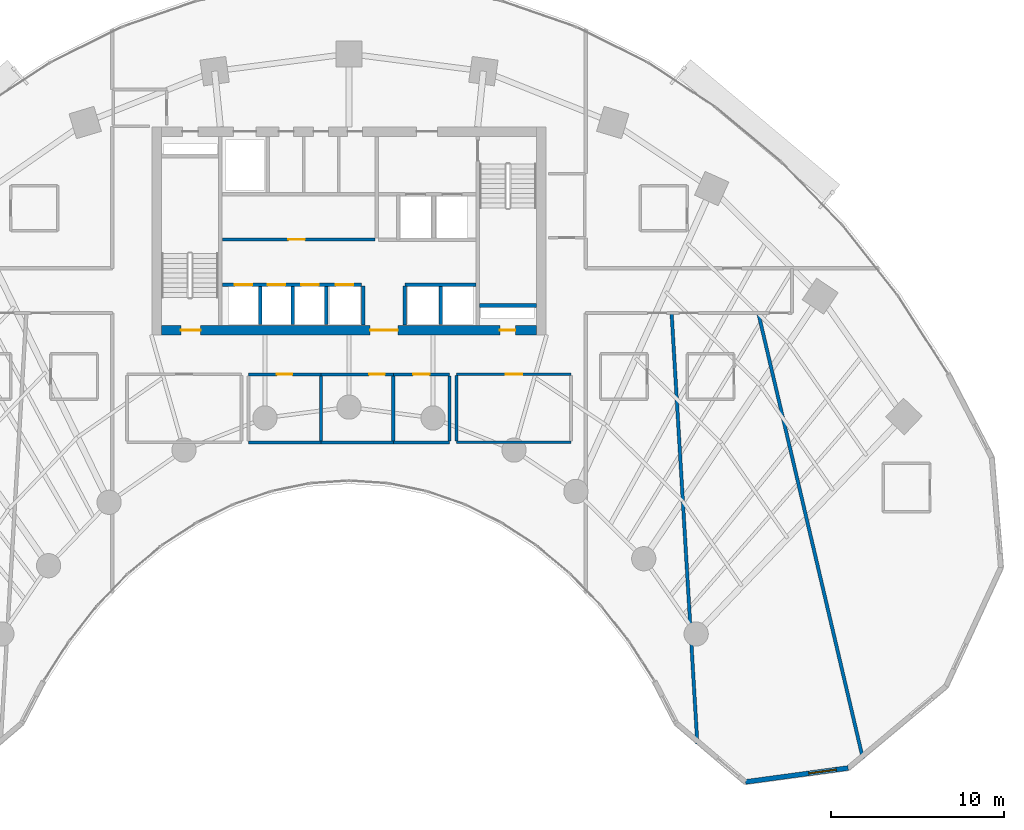
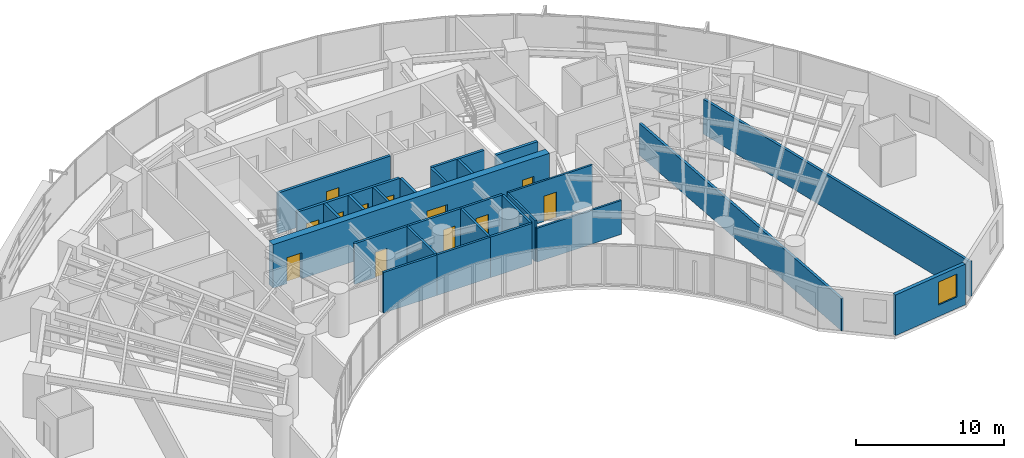
# One storey, part 12 of 17: 26 walls, 12 doors, 1 window, 13 openings.
"""IFC4 building model written with IfcOpenShell, lengths in metres."""

from ifc_helpers import new_model, si_unit, direction, frame, frame_2d, origin, place, context, subcontext, project, spatial, rectangle, extrude, source, transform, mapped, material, layer, layer_set, type_object, type_shapes, element, fill, save


model = new_model("IFC4")

# Units and contexts
model_context = context("Model", 3, precision=1e-05, world=origin(), true_north=direction((0.0, 1.0)))
body_context = subcontext(model_context, "Body", "Model", "MODEL_VIEW")
ifc_project = project(units=[si_unit("LENGTHUNIT", "METRE"), si_unit("AREAUNIT", "SQUARE_METRE"), si_unit("VOLUMEUNIT", "CUBIC_METRE"), si_unit("PLANEANGLEUNIT", "RADIAN"), si_unit("MASSUNIT", "GRAM", prefix="KILO")], contexts=[model_context])

# Site, building, storey
site_placement = place(None, origin())
site = spatial("IfcSite", under=ifc_project, at=site_placement, CompositionType="ELEMENT")
building_placement = place(site_placement, origin())
building = spatial("IfcBuilding", under=site, at=building_placement, Name="Breltana Convention Tower", CompositionType="ELEMENT")
storey_placement = place(building_placement, frame((0.0, 0.0, 78.60009765625)))
storey = spatial("IfcBuildingStorey", under=building, at=storey_placement, Name="L18", CompositionType="ELEMENT", Elevation=78.60009765625)

# Wall, openings, doors
ifc_material_1 = material(Name="Concrete C60/75", Category="concrete")
ifc_layer_1 = layer(ifc_material_1, 0.550048828125, Name="Concrete C60/75")
ifc_layer_set_1 = layer_set([ifc_layer_1], Name="Concrete C60/75")
wall_type_1 = type_object("IfcWallType", Name="SW-CORE-550", PredefinedType="SHEAR", material=ifc_layer_set_1)
shared_shape_1 = source(origin(), body_context, "Body", "SweptSolid", [
    extrude(rectangle(XDim=21.60009765625, YDim=0.550048828125, at=frame_2d((10.800048828125, 0.0))), origin(), (0.0, 0.0, 1.0), 3.599853515625),
])
wall_1_placement = place(storey_placement, frame((37.199951171875, 60.47509765625, 0.0), z_axis=(0.0, 0.0, 1.0), x_axis=(1.0, 0.0, 0.0)))
wall_1 = element("IfcWall", 1, at=wall_1_placement, inside=storey, type_object=wall_type_1, Name="L18 South Core Shear Wall", PredefinedType="SHEAR", context=body_context, shape_type="MappedRepresentation", body=[
    mapped(shared_shape_1, transform((0.0, 0.0, 0.0), scale=1.0)),
])
opening_1_placement = place(wall_1_placement, frame((1.10009765625, 0.0, 0.0)))
opening_1 = element("IfcOpeningElement", 2, at=opening_1_placement, cuts=wall_1, Name="Opening D-11", PredefinedType="OPENING", context=body_context, shape_type="SweptSolid", body=[
    extrude(rectangle(XDim=1.14990234375, YDim=2.14990234375, at=frame_2d((0.574951171875, 1.074951171875))), frame((0.0, 0.28515625, 0.0), z_axis=(0.0, -1.0, 0.0), x_axis=(1.0, 0.0, 0.0)), (0.0, 0.0, 1.0), 0.570068359375),
])
opening_2_placement = place(wall_1_placement, frame((19.5, 0.0, 0.0)))
opening_2 = element("IfcOpeningElement", 3, at=opening_2_placement, cuts=wall_1, Name="Opening D-18", PredefinedType="OPENING", context=body_context, shape_type="SweptSolid", body=[
    extrude(rectangle(XDim=0.89990234375, YDim=2.10009765625, at=frame_2d((0.449951171875, 1.050048828125))), frame((0.0, 0.28515625, 0.0), z_axis=(0.0, -1.0, 0.0), x_axis=(1.0, 0.0, 0.0)), (0.0, 0.0, 1.0), 0.570068359375),
])
opening_3_placement = place(wall_1_placement, frame((12.02001953125, 0.0, 0.0)))
opening_3 = element("IfcOpeningElement", 4, at=opening_3_placement, cuts=wall_1, Name="Opening D-02", PredefinedType="OPENING", context=body_context, shape_type="SweptSolid", body=[
    extrude(rectangle(XDim=1.60009765625, YDim=2.14990234375, at=frame_2d((0.800048828125, 1.074951171875))), frame((0.0, 0.28515625, 0.0), z_axis=(0.0, -1.0, 0.0), x_axis=(1.0, 0.0, 0.0)), (0.0, 0.0, 1.0), 0.570068359375),
])
ifc_material_2 = material(Name="Steel Stair Exit Door", Category="steel")
door_type_1 = type_object("IfcDoorType", Name="DR-FD120-1150", OperationType="NOTDEFINED", PredefinedType="DOOR", material=ifc_material_2)
shared_shape_2 = source(origin(), body_context, "Body", "SweptSolid", [
    extrude(rectangle(XDim=1.14990234375, YDim=2.14990234375, at=frame_2d((0.574951171875, 1.074951171875))), frame((0.0, 0.02490234375, 0.0), z_axis=(0.0, -1.0, 0.0), x_axis=(1.0, 0.0, 0.0)), (0.0, 0.0, 1.0), 0.050048828125),
])
type_shapes(door_type_1, [shared_shape_2])
door_1_placement = place(opening_1_placement, origin())
door_1 = element("IfcDoor", 5, at=door_1_placement, inside=storey, type_object=door_type_1, Name="L18 interior door D-L18-ST1", OperationType="SINGLE_SWING_LEFT", OverallHeight=2.14990234375, OverallWidth=1.14990234375, PredefinedType="DOOR", context=body_context, shape_type="MappedRepresentation", body=[
    mapped(shared_shape_2, transform((0.0, 0.0, 0.0), scale=1.0)),
])
fill(opening_1, door_1)
ifc_material_3 = material(Name="Steel Riser Fire Door", Category="steel")
door_type_2 = type_object("IfcDoorType", Name="DR-FD60-900", OperationType="NOTDEFINED", PredefinedType="DOOR", material=ifc_material_3)
shared_shape_3 = source(origin(), body_context, "Body", "SweptSolid", [
    extrude(rectangle(XDim=0.89990234375, YDim=2.10009765625, at=frame_2d((0.449951171875, 1.050048828125))), frame((0.0, 0.02490234375, 0.0), z_axis=(0.0, -1.0, 0.0), x_axis=(1.0, 0.0, 0.0)), (0.0, 0.0, 1.0), 0.050048828125),
])
type_shapes(door_type_2, [shared_shape_3])
door_2_placement = place(opening_2_placement, origin())
door_2 = element("IfcDoor", 6, at=door_2_placement, inside=storey, type_object=door_type_2, Name="L18 Core Riser Access Door D-L18-RS2", OperationType="SINGLE_SWING_RIGHT", OverallHeight=2.10009765625, OverallWidth=0.89990234375, PredefinedType="DOOR", context=body_context, shape_type="MappedRepresentation", body=[
    mapped(shared_shape_3, transform((0.0, 0.0, 0.0), scale=1.0)),
])
fill(opening_2, door_2)
ifc_material_4 = material(Name="Steel Glazed Smoke-Control Door", Category="steel")
door_type_3 = type_object("IfcDoorType", Name="DR-DBL-FD90-1600", OperationType="DOUBLE_DOOR_SINGLE_SWING", PredefinedType="DOOR", material=ifc_material_4)
shared_shape_4 = source(origin(), body_context, "Body", "SweptSolid", [
    extrude(rectangle(XDim=1.60009765625, YDim=2.14990234375, at=frame_2d((0.800048828125, 1.074951171875))), frame((0.0, 0.02490234375, 0.0), z_axis=(0.0, -1.0, 0.0), x_axis=(1.0, 0.0, 0.0)), (0.0, 0.0, 1.0), 0.050048828125),
])
type_shapes(door_type_3, [shared_shape_4])
door_3_placement = place(opening_3_placement, origin())
door_3 = element("IfcDoor", 7, at=door_3_placement, inside=storey, type_object=door_type_3, Name="L18 interior door D-L18-LLB-S", OperationType="DOUBLE_DOOR_SINGLE_SWING", OverallHeight=2.14990234375, OverallWidth=1.60009765625, PredefinedType="DOOR", context=body_context, shape_type="MappedRepresentation", body=[
    mapped(shared_shape_4, transform((0.0, 0.0, 0.0), scale=1.0)),
])
fill(opening_3, door_3)

# Wall
ifc_material_5 = material(Name="Concrete C50/60", Category="concrete")
ifc_layer_2 = layer(ifc_material_5, 0.39990234375, Name="Concrete C50/60")
ifc_layer_set_2 = layer_set([ifc_layer_2], Name="Concrete C50/60")
wall_type_2 = type_object("IfcWallType", Name="SW-CORE-400", PredefinedType="SHEAR", material=ifc_layer_set_2)
shared_shape_5 = source(origin(), body_context, "Body", "SweptSolid", [
    extrude(rectangle(XDim=3.27001953125, YDim=0.219970703125, at=frame_2d((1.635009765625, 0.0))), origin(), (0.0, 0.0, 1.0), 3.599853515625),
])
wall_2_placement = place(storey_placement, frame((55.530029296875, 61.889892578125, 0.0), z_axis=(0.0, 0.0, 1.0), x_axis=(1.0, 0.0, 0.0)))
element("IfcWall", 8, at=wall_2_placement, inside=storey, type_object=wall_type_2, Name="L18 ST-2 Stairwell South Bearing Wall", PredefinedType="SHEAR", context=body_context, shape_type="MappedRepresentation", body=[
    mapped(shared_shape_5, transform((0.0, 0.0, 0.0), scale=1.0)),
])

# Wall, opening, window
ifc_material_6 = material(Name="Limestone Buff Insulated Wall", Category="masonry")
ifc_layer_3 = layer(ifc_material_6, 0.280029296875, Name="Limestone Buff Insulated Wall")
ifc_layer_set_3 = layer_set([ifc_layer_3], Name="Limestone Buff Insulated Wall")
wall_type_3 = type_object("IfcWallType", Name="WL-EXT-NOSE-280", PredefinedType="SOLIDWALL", material=ifc_layer_set_3)
shared_shape_6 = source(origin(), body_context, "Body", "SweptSolid", [
    extrude(rectangle(XDim=5.96728515625, YDim=0.280029296875, at=frame_2d((2.983642578125, 0.0))), origin(), (0.0, 0.0, 1.0), 3.35986328125),
])
wall_3_placement = place(storey_placement, frame((76.77734375, 35.226806640625, 0.0), z_axis=(0.0, 0.0, 1.0), x_axis=(-0.990927009341, -0.134401124099, 0.0)))
wall_3 = element("IfcWall", 9, at=wall_3_placement, inside=storey, type_object=wall_type_3, Name="L18 curved limestone nose wall E4", PredefinedType="SOLIDWALL", context=body_context, shape_type="MappedRepresentation", body=[
    mapped(shared_shape_6, transform((0.0, 0.0, 0.0), scale=1.0)),
])
opening_4_placement = place(wall_3_placement, frame((0.69189453125, 0.0, 0.949951171875)))
opening_4 = element("IfcOpeningElement", 10, at=opening_4_placement, cuts=wall_3, Name="Opening W-04", PredefinedType="OPENING", context=body_context, shape_type="SweptSolid", body=[
    extrude(rectangle(XDim=1.60009765625, YDim=1.89990234375, at=frame_2d((0.800048828125, 0.949951171875))), frame((0.0, 0.14990234375, 0.0), z_axis=(0.0, -1.0, 0.0), x_axis=(1.0, 0.0, 0.0)), (0.0, 0.0, 1.0), 0.300048828125),
])
ifc_material_7 = material(Name="Glass Low-E Insulated Window", Category="glass")
window_type = type_object("IfcWindowType", Name="WN-NOSE-1600X1900", PartitioningType="SINGLE_PANEL", PredefinedType="WINDOW", material=ifc_material_7)
shared_shape_7 = source(origin(), body_context, "Body", "SweptSolid", [
    extrude(rectangle(XDim=1.60009765625, YDim=1.89990234375, at=frame_2d((0.800048828125, 0.949951171875))), frame((0.0, 0.030029296875, 0.0), z_axis=(0.0, -1.0, 0.0), x_axis=(1.0, 0.0, 0.0)), (0.0, 0.0, 1.0), 0.06005859375),
])
type_shapes(window_type, [shared_shape_7])
window_placement = place(opening_4_placement, origin())
window = element("IfcWindow", 11, at=window_placement, inside=storey, type_object=window_type, Name="L18 nose window E4", OverallHeight=1.89990234375, OverallWidth=1.60009765625, PartitioningType="SINGLE_PANEL", PredefinedType="WINDOW", context=body_context, shape_type="MappedRepresentation", body=[
    mapped(shared_shape_7, transform((0.0, 0.0, 0.0), scale=1.0)),
])
fill(opening_4, window)

# Walls
ifc_material_8 = material(Name="Gypsum Acoustic Drywall Partition")
ifc_layer_4 = layer(ifc_material_8, 0.14990234375, Name="Gypsum Acoustic Drywall Partition")
ifc_layer_set_4 = layer_set([ifc_layer_4], Name="Gypsum Acoustic Drywall Partition")
wall_type_4 = type_object("IfcWallType", Name="WL-PART-150", PredefinedType="PARTITIONING", material=ifc_layer_set_4)
shared_shape_8 = source(origin(), body_context, "Body", "SweptSolid", [
    extrude(rectangle(XDim=6.60009765625, YDim=0.14990234375, at=frame_2d((3.300048828125, 0.0))), origin(), (0.0, 0.0, 1.0), 2.802978515625),
])
wall_4_placement = place(storey_placement, frame((54.199951171875, 54.0, 0.0), z_axis=(0.0, 0.0, 1.0), x_axis=(1.0, 0.0, 0.0)))
element("IfcWall", 12, at=wall_4_placement, inside=storey, type_object=wall_type_4, Name="L18 interior partition W-L18-HMT-S", PredefinedType="PARTITIONING", context=body_context, shape_type="MappedRepresentation", body=[
    mapped(shared_shape_8, transform((0.0, 0.0, 0.0), scale=1.0)),
])
ifc_material_9 = material(Name="Autoclaved Aerated Concrete Block", Category="concrete")
ifc_layer_5 = layer(ifc_material_9, 0.199951171875, Name="Autoclaved Aerated Concrete Block")
ifc_layer_set_5 = layer_set([ifc_layer_5], Name="Autoclaved Aerated Concrete Block")
wall_type_5 = type_object("IfcWallType", Name="WL-SHAFT-200", PredefinedType="SOLIDWALL", material=ifc_layer_set_5)
shared_shape_9 = source(origin(), body_context, "Body", "SweptSolid", [
    extrude(rectangle(XDim=2.239990234375, YDim=0.199951171875, at=frame_2d((1.1201171875, 0.0))), origin(), (0.0, 0.0, 1.0), 3.35986328125),
])
for number, where, z_axis, x_axis, name in (
    (13, (48.820068359375, 60.780029296875, 0.0), (0.0, 0.0, 1.0), (0.0, 1.0, 0.0), "L18 interior partition W-L18-PORT-W"),
    (14, (51.219970703125, 60.780029296875, 0.0), (0.0, 0.0, 1.0), (0.0, 1.0, 0.0), "L18 interior partition W-L18-PORT-E"),
):
    element("IfcWall", number, at=place(storey_placement, frame(where, z_axis=z_axis, x_axis=x_axis)), inside=storey, type_object=wall_type_5, Name=name, PredefinedType="SOLIDWALL", context=body_context, shape_type="MappedRepresentation", body=[
        mapped(shared_shape_9, transform((0.0, 0.0, 0.0), scale=1.0)),
    ])

# Wall, opening, door
shared_shape_10 = source(origin(), body_context, "Body", "SweptSolid", [
    extrude(rectangle(XDim=8.800048828125, YDim=0.199951171875, at=frame_2d((4.39990234375, 0.0))), origin(), (0.0, 0.0, 1.0), 3.35986328125),
])
wall_5_placement = place(storey_placement, frame((40.699951171875, 65.699951171875, 0.0), z_axis=(0.0, 0.0, 1.0), x_axis=(1.0, 0.0, 0.0)))
wall_5 = element("IfcWall", 15, at=wall_5_placement, inside=storey, type_object=wall_type_5, Name="L18 interior partition W-L18-SH-M-FRONT", PredefinedType="SOLIDWALL", context=body_context, shape_type="MappedRepresentation", body=[
    mapped(shared_shape_10, transform((0.0, 0.0, 0.0), scale=1.0)),
])
opening_5_placement = place(wall_5_placement, frame((3.800048828125, 0.0, 0.0)))
opening_5 = element("IfcOpeningElement", 16, at=opening_5_placement, cuts=wall_5, Name="Opening D-14", PredefinedType="OPENING", context=body_context, shape_type="SweptSolid", body=[
    extrude(rectangle(XDim=0.949951171875, YDim=2.14990234375, at=frame_2d((0.47509765625, 1.074951171875))), frame((0.0, 0.10986328125, 0.0), z_axis=(0.0, -1.0, 0.0), x_axis=(1.0, 0.0, 0.0)), (0.0, 0.0, 1.0), 0.219970703125),
])
ifc_material_10 = material(Name="Timber Solid-Core Fire Door", Category="wood")
door_type_4 = type_object("IfcDoorType", Name="DR-FD60-950", OperationType="NOTDEFINED", PredefinedType="DOOR", material=ifc_material_10)
shared_shape_11 = source(origin(), body_context, "Body", "SweptSolid", [
    extrude(rectangle(XDim=0.949951171875, YDim=2.14990234375, at=frame_2d((0.47509765625, 1.074951171875))), frame((0.0, 0.02490234375, 0.0), z_axis=(0.0, -1.0, 0.0), x_axis=(1.0, 0.0, 0.0)), (0.0, 0.0, 1.0), 0.050048828125),
])
type_shapes(door_type_4, [shared_shape_11])
door_4_placement = place(opening_5_placement, origin())
door_4 = element("IfcDoor", 17, at=door_4_placement, inside=storey, type_object=door_type_4, Name="L18 interior door D-L18-LV7-B2A", OperationType="SINGLE_SWING_LEFT", OverallHeight=2.14990234375, OverallWidth=0.949951171875, PredefinedType="DOOR", context=body_context, shape_type="MappedRepresentation", body=[
    mapped(shared_shape_11, transform((0.0, 0.0, 0.0), scale=1.0)),
])
fill(opening_5, door_4)

# Wall, openings, doors
shared_shape_12 = source(origin(), body_context, "Body", "SweptSolid", [
    extrude(rectangle(XDim=8.02001953125, YDim=0.199951171875, at=frame_2d((4.010009765625, 0.0))), origin(), (0.0, 0.0, 1.0), 3.35986328125),
])
wall_6_placement = place(storey_placement, frame((40.699951171875, 63.10009765625, 0.0), z_axis=(0.0, 0.0, 1.0), x_axis=(1.0, 0.0, 0.0)))
wall_6 = element("IfcWall", 18, at=wall_6_placement, inside=storey, type_object=wall_type_5, Name="L18 interior partition W-L18-SH-S-FRONT", PredefinedType="SOLIDWALL", context=body_context, shape_type="MappedRepresentation", body=[
    mapped(shared_shape_12, transform((0.0, 0.0, 0.0), scale=1.0)),
])
opening_6_placement = place(wall_6_placement, frame((0.719970703125, 0.0, 0.0)))
opening_6 = element("IfcOpeningElement", 19, at=opening_6_placement, cuts=wall_6, Name="Opening LD-04", PredefinedType="OPENING", context=body_context, shape_type="SweptSolid", body=[
    extrude(rectangle(XDim=1.0, YDim=2.14990234375, at=frame_2d((0.5, 1.074951171875))), frame((0.0, 0.10986328125, 0.0), z_axis=(0.0, -1.0, 0.0), x_axis=(1.0, 0.0, 0.0)), (0.0, 0.0, 1.0), 0.219970703125),
])
opening_7_placement = place(wall_6_placement, frame((2.6201171875, 0.0, 0.0)))
opening_7 = element("IfcOpeningElement", 20, at=opening_7_placement, cuts=wall_6, Name="Opening LD-04", PredefinedType="OPENING", context=body_context, shape_type="SweptSolid", body=[
    extrude(rectangle(XDim=1.0, YDim=2.14990234375, at=frame_2d((0.5, 1.074951171875))), frame((0.0, 0.10986328125, 0.0), z_axis=(0.0, -1.0, 0.0), x_axis=(1.0, 0.0, 0.0)), (0.0, 0.0, 1.0), 0.219970703125),
])
opening_8_placement = place(wall_6_placement, frame((4.550048828125, 0.0, 0.0)))
opening_8 = element("IfcOpeningElement", 21, at=opening_8_placement, cuts=wall_6, Name="Opening LD-04", PredefinedType="OPENING", context=body_context, shape_type="SweptSolid", body=[
    extrude(rectangle(XDim=1.0, YDim=2.14990234375, at=frame_2d((0.5, 1.074951171875))), frame((0.0, 0.10986328125, 0.0), z_axis=(0.0, -1.0, 0.0), x_axis=(1.0, 0.0, 0.0)), (0.0, 0.0, 1.0), 0.219970703125),
])
opening_9_placement = place(wall_6_placement, frame((6.550048828125, 0.0, 0.0)))
opening_9 = element("IfcOpeningElement", 22, at=opening_9_placement, cuts=wall_6, Name="Opening LD-04", PredefinedType="OPENING", context=body_context, shape_type="SweptSolid", body=[
    extrude(rectangle(XDim=1.0, YDim=2.14990234375, at=frame_2d((0.5, 1.074951171875))), frame((0.0, 0.10986328125, 0.0), z_axis=(0.0, -1.0, 0.0), x_axis=(1.0, 0.0, 0.0)), (0.0, 0.0, 1.0), 0.219970703125),
])
ifc_material_11 = material(Name="Stainless Steel Brushed", Category="steel")
door_type_5 = type_object("IfcDoorType", Name="DR-LD-PAX-1000", OperationType="DOUBLE_DOOR_SLIDING", PredefinedType="DOOR", material=ifc_material_11)
shared_shape_13 = source(origin(), body_context, "Body", "SweptSolid", [
    extrude(rectangle(XDim=1.0, YDim=2.14990234375, at=frame_2d((0.5, 1.074951171875))), frame((0.0, 0.02490234375, 0.0), z_axis=(0.0, -1.0, 0.0), x_axis=(1.0, 0.0, 0.0)), (0.0, 0.0, 1.0), 0.050048828125),
])
type_shapes(door_type_5, [shared_shape_13])
door_5_placement = place(opening_6_placement, origin())
door_5 = element("IfcDoor", 23, at=door_5_placement, inside=storey, type_object=door_type_5, Name="L18 Lift Landing Door D-L18-LD-S1", OperationType="DOUBLE_DOOR_SLIDING", OverallHeight=2.14990234375, OverallWidth=1.0, PredefinedType="DOOR", context=body_context, shape_type="MappedRepresentation", body=[
    mapped(shared_shape_13, transform((0.0, 0.0, 0.0), scale=1.0)),
])
fill(opening_6, door_5)
door_6_placement = place(opening_7_placement, origin())
door_6 = element("IfcDoor", 24, at=door_6_placement, inside=storey, type_object=door_type_5, Name="L18 Lift Landing Door D-L18-LD-S2", OperationType="DOUBLE_DOOR_SLIDING", OverallHeight=2.14990234375, OverallWidth=1.0, PredefinedType="DOOR", context=body_context, shape_type="MappedRepresentation", body=[
    mapped(shared_shape_13, transform((0.0, 0.0, 0.0), scale=1.0)),
])
fill(opening_7, door_6)
door_7_placement = place(opening_8_placement, origin())
door_7 = element("IfcDoor", 25, at=door_7_placement, inside=storey, type_object=door_type_5, Name="L18 Lift Landing Door D-L18-LD-S3", OperationType="DOUBLE_DOOR_SLIDING", OverallHeight=2.14990234375, OverallWidth=1.0, PredefinedType="DOOR", context=body_context, shape_type="MappedRepresentation", body=[
    mapped(shared_shape_13, transform((0.0, 0.0, 0.0), scale=1.0)),
])
fill(opening_8, door_7)
door_8_placement = place(opening_9_placement, origin())
door_8 = element("IfcDoor", 26, at=door_8_placement, inside=storey, type_object=door_type_5, Name="L18 Lift Landing Door D-L18-LD-S4", OperationType="DOUBLE_DOOR_SLIDING", OverallHeight=2.14990234375, OverallWidth=1.0, PredefinedType="DOOR", context=body_context, shape_type="MappedRepresentation", body=[
    mapped(shared_shape_13, transform((0.0, 0.0, 0.0), scale=1.0)),
])
fill(opening_9, door_8)

# Walls
shared_shape_14 = source(origin(), body_context, "Body", "SweptSolid", [
    extrude(rectangle(XDim=4.10009765625, YDim=0.199951171875, at=frame_2d((2.050048828125, 0.0))), origin(), (0.0, 0.0, 1.0), 3.35986328125),
])
wall_7_placement = place(storey_placement, frame((51.219970703125, 63.10009765625, 0.0), z_axis=(0.0, 0.0, 1.0), x_axis=(1.0, 0.0, 0.0)))
element("IfcWall", 27, at=wall_7_placement, inside=storey, type_object=wall_type_5, Name="L18 interior partition W-L18-SH-X-FRONT", PredefinedType="SOLIDWALL", context=body_context, shape_type="MappedRepresentation", body=[
    mapped(shared_shape_14, transform((0.0, 0.0, 0.0), scale=1.0)),
])
shared_shape_15 = source(origin(), body_context, "Body", "SweptSolid", [
    extrude(rectangle(XDim=2.199951171875, YDim=0.199951171875, at=frame_2d((1.10009765625, 0.0))), origin(), (0.0, 0.0, 1.0), 3.35986328125),
])
for number, where, z_axis, x_axis, name in (
    (28, (42.8701171875, 60.800048828125, 0.0), (0.0, 0.0, 1.0), (0.0, 1.0, 0.0), "L18 interior partition W-L18-SH-S-DIV1"),
    (29, (44.77001953125, 60.800048828125, 0.0), (0.0, 0.0, 1.0), (0.0, 1.0, 0.0), "L18 interior partition W-L18-SH-S-DIV2"),
    (30, (46.699951171875, 60.800048828125, 0.0), (0.0, 0.0, 1.0), (0.0, 1.0, 0.0), "L18 interior partition W-L18-SH-S-DIV3"),
    (31, (53.280029296875, 60.800048828125, 0.0), (0.0, 0.0, 1.0), (0.0, 1.0, 0.0), "L18 interior partition W-L18-SH-X-DIV"),
):
    element("IfcWall", number, at=place(storey_placement, frame(where, z_axis=z_axis, x_axis=x_axis)), inside=storey, type_object=wall_type_5, Name=name, PredefinedType="SOLIDWALL", context=body_context, shape_type="MappedRepresentation", body=[
        mapped(shared_shape_15, transform((0.0, 0.0, 0.0), scale=1.0)),
    ])

# Wall, opening, door
shared_shape_16 = source(origin(), body_context, "Body", "SweptSolid", [
    extrude(rectangle(XDim=6.60009765625, YDim=0.14990234375, at=frame_2d((3.300048828125, 0.0))), origin(), (0.0, 0.0, 1.0), 3.35986328125),
])
wall_8_placement = place(storey_placement, frame((54.199951171875, 57.919921875, 0.0), z_axis=(0.0, 0.0, 1.0), x_axis=(1.0, 0.0, 0.0)))
wall_8 = element("IfcWall", 32, at=wall_8_placement, inside=storey, type_object=wall_type_4, Name="L18 interior partition W-L18-HMT-N", PredefinedType="PARTITIONING", context=body_context, shape_type="MappedRepresentation", body=[
    mapped(shared_shape_16, transform((0.0, 0.0, 0.0), scale=1.0)),
])
opening_10_placement = place(wall_8_placement, frame((2.824951171875, 0.0, 0.0)))
opening_10 = element("IfcOpeningElement", 33, at=opening_10_placement, cuts=wall_8, Name="Opening D-17", PredefinedType="OPENING", context=body_context, shape_type="SweptSolid", body=[
    extrude(rectangle(XDim=0.949951171875, YDim=2.10009765625, at=frame_2d((0.47509765625, 1.050048828125))), frame((0.0, 0.0849609375, 0.0), z_axis=(0.0, -1.0, 0.0), x_axis=(1.0, 0.0, 0.0)), (0.0, 0.0, 1.0), 0.169921875),
])
ifc_material_12 = material(Name="Timber Oak Veneer Door", Category="wood")
door_type_6 = type_object("IfcDoorType", Name="DR-INT-950", OperationType="NOTDEFINED", PredefinedType="DOOR", material=ifc_material_12)
shared_shape_17 = source(origin(), body_context, "Body", "SweptSolid", [
    extrude(rectangle(XDim=0.949951171875, YDim=2.10009765625, at=frame_2d((0.47509765625, 1.050048828125))), frame((0.0, 0.02490234375, 0.0), z_axis=(0.0, -1.0, 0.0), x_axis=(1.0, 0.0, 0.0)), (0.0, 0.0, 1.0), 0.050048828125),
])
type_shapes(door_type_6, [shared_shape_17])
door_9_placement = place(opening_10_placement, origin())
door_9 = element("IfcDoor", 34, at=door_9_placement, inside=storey, type_object=door_type_6, Name="L18 interior door D-L18-HMT", OperationType="SINGLE_SWING_RIGHT", OverallHeight=2.10009765625, OverallWidth=0.949951171875, PredefinedType="DOOR", context=body_context, shape_type="MappedRepresentation", body=[
    mapped(shared_shape_17, transform((0.0, 0.0, 0.0), scale=1.0)),
])
fill(opening_10, door_9)

# Walls
shared_shape_18 = source(origin(), body_context, "Body", "SweptSolid", [
    extrude(rectangle(XDim=3.78515625, YDim=0.14990234375, at=frame_2d((1.892578125, 0.0))), origin(), (0.0, 0.0, 1.0), 3.35986328125),
])
wall_9_placement = place(storey_placement, frame((54.199951171875, 54.0673828125, 0.0), z_axis=(0.0, 0.0, 1.0), x_axis=(0.0, 1.0, 0.0)))
element("IfcWall", 35, at=wall_9_placement, inside=storey, type_object=wall_type_4, Name="L18 interior partition W-L18-HMT-W", PredefinedType="PARTITIONING", context=body_context, shape_type="MappedRepresentation", body=[
    mapped(shared_shape_18, transform((0.0, 0.0, 0.0), scale=1.0)),
])
ifc_material_13 = material(Name="Cement Board Wet-Area Partition")
ifc_layer_6 = layer(ifc_material_13, 0.175048828125, Name="Cement Board Wet-Area Partition")
ifc_layer_set_6 = layer_set([ifc_layer_6], Name="Cement Board Wet-Area Partition")
wall_type_6 = type_object("IfcWallType", Name="WL-WET-175", PredefinedType="PARTITIONING", material=ifc_layer_set_6)
shared_shape_19 = source(origin(), body_context, "Body", "SweptSolid", [
    extrude(rectangle(XDim=4.176025390625, YDim=0.175048828125, at=frame_2d((2.087890625, 0.0))), origin(), (0.0, 0.0, 1.0), 3.35986328125),
])
for number, where, z_axis, x_axis, name in (
    (36, (42.199951171875, 54.0, 0.0), (0.0, 0.0, 1.0), (1.0, 0.0, 0.0), "L18 interior partition W-L18-WCM-S"),
    (37, (46.3759765625, 54.0, 0.0), (0.0, 0.0, 1.0), (1.0, 0.0, 0.0), "L18 interior partition W-L18-WCF-S"),
):
    element("IfcWall", number, at=place(storey_placement, frame(where, z_axis=z_axis, x_axis=x_axis)), inside=storey, type_object=wall_type_6, Name=name, PredefinedType="PARTITIONING", context=body_context, shape_type="MappedRepresentation", body=[
        mapped(shared_shape_19, transform((0.0, 0.0, 0.0), scale=1.0)),
    ])

# Wall, opening, door
ifc_material_14 = material(Name="Moisture-Resistant Gypsum Chase Wall")
ifc_layer_7 = layer(ifc_material_14, 0.179931640625, Name="Moisture-Resistant Gypsum Chase Wall")
ifc_layer_set_7 = layer_set([ifc_layer_7], Name="Moisture-Resistant Gypsum Chase Wall")
wall_type_7 = type_object("IfcWallType", Name="WL-PLUMB-180", PredefinedType="PLUMBINGWALL", material=ifc_layer_set_7)
shared_shape_20 = source(origin(), body_context, "Body", "SweptSolid", [
    extrude(rectangle(XDim=4.176025390625, YDim=0.179931640625, at=frame_2d((2.087890625, 0.0))), origin(), (0.0, 0.0, 1.0), 3.35986328125),
])
wall_10_placement = place(storey_placement, frame((42.199951171875, 57.919921875, 0.0), z_axis=(0.0, 0.0, 1.0), x_axis=(1.0, 0.0, 0.0)))
wall_10 = element("IfcWall", 38, at=wall_10_placement, inside=storey, type_object=wall_type_7, Name="L18 interior partition W-L18-WCM-N", PredefinedType="PLUMBINGWALL", context=body_context, shape_type="MappedRepresentation", body=[
    mapped(shared_shape_20, transform((0.0, 0.0, 0.0), scale=1.0)),
])
opening_11_placement = place(wall_10_placement, frame((1.637939453125, 0.0, 0.0)))
opening_11 = element("IfcOpeningElement", 39, at=opening_11_placement, cuts=wall_10, Name="Opening D-19", PredefinedType="OPENING", context=body_context, shape_type="SweptSolid", body=[
    extrude(rectangle(XDim=0.89990234375, YDim=2.080078125, at=frame_2d((0.449951171875, 1.0400390625))), frame((0.0, 0.10009765625, 0.0), z_axis=(0.0, -1.0, 0.0), x_axis=(1.0, 0.0, 0.0)), (0.0, 0.0, 1.0), 0.199951171875),
])
ifc_material_15 = material(Name="Timber Moisture-Resistant Door", Category="wood")
door_type_7 = type_object("IfcDoorType", Name="DR-WC-900", OperationType="NOTDEFINED", PredefinedType="DOOR", material=ifc_material_15)
shared_shape_21 = source(origin(), body_context, "Body", "SweptSolid", [
    extrude(rectangle(XDim=0.89990234375, YDim=2.080078125, at=frame_2d((0.449951171875, 1.0400390625))), frame((0.0, 0.02490234375, 0.0), z_axis=(0.0, -1.0, 0.0), x_axis=(1.0, 0.0, 0.0)), (0.0, 0.0, 1.0), 0.050048828125),
])
type_shapes(door_type_7, [shared_shape_21])
door_10_placement = place(opening_11_placement, origin())
door_10 = element("IfcDoor", 40, at=door_10_placement, inside=storey, type_object=door_type_7, Name="L18 interior door D-L18-WCM", OperationType="SINGLE_SWING_LEFT", OverallHeight=2.080078125, OverallWidth=0.89990234375, PredefinedType="DOOR", context=body_context, shape_type="MappedRepresentation", body=[
    mapped(shared_shape_21, transform((0.0, 0.0, 0.0), scale=1.0)),
])
fill(opening_11, door_10)

wall_11_placement = place(storey_placement, frame((46.3759765625, 57.919921875, 0.0), z_axis=(0.0, 0.0, 1.0), x_axis=(1.0, 0.0, 0.0)))
wall_11 = element("IfcWall", 41, at=wall_11_placement, inside=storey, type_object=wall_type_7, Name="L18 interior partition W-L18-WCF-N", PredefinedType="PLUMBINGWALL", context=body_context, shape_type="MappedRepresentation", body=[
    mapped(shared_shape_20, transform((0.0, 0.0, 0.0), scale=1.0)),
])
opening_12_placement = place(wall_11_placement, frame((2.7880859375, 0.0, 0.0)))
opening_12 = element("IfcOpeningElement", 42, at=opening_12_placement, cuts=wall_11, Name="Opening D-19", PredefinedType="OPENING", context=body_context, shape_type="SweptSolid", body=[
    extrude(rectangle(XDim=0.89990234375, YDim=2.080078125, at=frame_2d((0.449951171875, 1.0400390625))), frame((0.0, 0.10009765625, 0.0), z_axis=(0.0, -1.0, 0.0), x_axis=(1.0, 0.0, 0.0)), (0.0, 0.0, 1.0), 0.199951171875),
])
door_11_placement = place(opening_12_placement, origin())
door_11 = element("IfcDoor", 43, at=door_11_placement, inside=storey, type_object=door_type_7, Name="L18 interior door D-L18-WCF", OperationType="SINGLE_SWING_RIGHT", OverallHeight=2.080078125, OverallWidth=0.89990234375, PredefinedType="DOOR", context=body_context, shape_type="MappedRepresentation", body=[
    mapped(shared_shape_21, transform((0.0, 0.0, 0.0), scale=1.0)),
])
fill(opening_12, door_11)

# Walls
shared_shape_22 = source(origin(), body_context, "Body", "SweptSolid", [
    extrude(rectangle(XDim=3.7626953125, YDim=0.175048828125, at=frame_2d((1.88134765625, 0.0))), origin(), (0.0, 0.0, 1.0), 3.35986328125),
])
for number, where, z_axis, x_axis, name in (
    (44, (46.3759765625, 54.07861328125, 0.0), (0.0, 0.0, 1.0), (0.0, 1.0, 0.0), "L18 interior partition W-L18-WCM-E"),
    (45, (50.552001953125, 54.07861328125, 0.0), (0.0, 0.0, 1.0), (0.0, 1.0, 0.0), "L18 interior partition W-L18-WCF-E"),
    (46, (53.800048828125, 54.07861328125, 0.0), (0.0, 0.0, 1.0), (0.0, 1.0, 0.0), "L18 interior partition W-L18-WCA-E"),
):
    element("IfcWall", number, at=place(storey_placement, frame(where, z_axis=z_axis, x_axis=x_axis)), inside=storey, type_object=wall_type_6, Name=name, PredefinedType="PARTITIONING", context=body_context, shape_type="MappedRepresentation", body=[
        mapped(shared_shape_22, transform((0.0, 0.0, 0.0), scale=1.0)),
    ])
shared_shape_23 = source(origin(), body_context, "Body", "SweptSolid", [
    extrude(rectangle(XDim=3.248046875, YDim=0.175048828125, at=frame_2d((1.6240234375, 0.0))), origin(), (0.0, 0.0, 1.0), 3.35986328125),
])
wall_12_placement = place(storey_placement, frame((50.552001953125, 54.0, 0.0), z_axis=(0.0, 0.0, 1.0), x_axis=(1.0, 0.0, 0.0)))
element("IfcWall", 47, at=wall_12_placement, inside=storey, type_object=wall_type_6, Name="L18 interior partition W-L18-WCA-S", PredefinedType="PARTITIONING", context=body_context, shape_type="MappedRepresentation", body=[
    mapped(shared_shape_23, transform((0.0, 0.0, 0.0), scale=1.0)),
])

# Wall, opening, door
shared_shape_24 = source(origin(), body_context, "Body", "SweptSolid", [
    extrude(rectangle(XDim=3.248046875, YDim=0.179931640625, at=frame_2d((1.6240234375, 0.0))), origin(), (0.0, 0.0, 1.0), 3.35986328125),
])
wall_13_placement = place(storey_placement, frame((50.552001953125, 57.919921875, 0.0), z_axis=(0.0, 0.0, 1.0), x_axis=(1.0, 0.0, 0.0)))
wall_13 = element("IfcWall", 48, at=wall_13_placement, inside=storey, type_object=wall_type_7, Name="L18 interior partition W-L18-WCA-N", PredefinedType="PLUMBINGWALL", context=body_context, shape_type="MappedRepresentation", body=[
    mapped(shared_shape_24, transform((0.0, 0.0, 0.0), scale=1.0)),
])
opening_13_placement = place(wall_13_placement, frame((1.14892578125, 0.0, 0.0)))
opening_13 = element("IfcOpeningElement", 49, at=opening_13_placement, cuts=wall_13, Name="Opening D-16", PredefinedType="OPENING", context=body_context, shape_type="SweptSolid", body=[
    extrude(rectangle(XDim=0.949951171875, YDim=2.1201171875, at=frame_2d((0.47509765625, 1.06005859375))), frame((0.0, 0.10009765625, 0.0), z_axis=(0.0, -1.0, 0.0), x_axis=(1.0, 0.0, 0.0)), (0.0, 0.0, 1.0), 0.199951171875),
])
ifc_material_16 = material(Name="Timber Laminate Accessible Door", Category="wood")
door_type_8 = type_object("IfcDoorType", Name="DR-ACC-950", OperationType="NOTDEFINED", PredefinedType="DOOR", material=ifc_material_16)
shared_shape_25 = source(origin(), body_context, "Body", "SweptSolid", [
    extrude(rectangle(XDim=0.949951171875, YDim=2.1201171875, at=frame_2d((0.47509765625, 1.06005859375))), frame((0.0, 0.02490234375, 0.0), z_axis=(0.0, -1.0, 0.0), x_axis=(1.0, 0.0, 0.0)), (0.0, 0.0, 1.0), 0.050048828125),
])
type_shapes(door_type_8, [shared_shape_25])
door_12_placement = place(opening_13_placement, origin())
door_12 = element("IfcDoor", 50, at=door_12_placement, inside=storey, type_object=door_type_8, Name="L18 interior door D-L18-WCA", OperationType="SINGLE_SWING_LEFT", OverallHeight=2.1201171875, OverallWidth=0.949951171875, PredefinedType="DOOR", context=body_context, shape_type="MappedRepresentation", body=[
    mapped(shared_shape_25, transform((0.0, 0.0, 0.0), scale=1.0)),
])
fill(opening_13, door_12)

# Walls
ifc_material_17 = material(Name="Gypsum Acoustic Hotel Wall")
ifc_layer_8 = layer(ifc_material_17, 0.195068359375, Name="Gypsum Acoustic Hotel Wall")
ifc_layer_set_8 = layer_set([ifc_layer_8], Name="Gypsum Acoustic Hotel Wall")
wall_type_8 = type_object("IfcWallType", Name="WL-HOTEL-200", PredefinedType="PARTITIONING", material=ifc_layer_set_8)
shared_shape_26 = source(origin(), body_context, "Body", "SweptSolid", [
    extrude(rectangle(XDim=24.888671875, YDim=0.195068359375, at=frame_2d((12.4443359375, 0.0))), origin(), (0.0, 0.0, 1.0), 2.643798828125),
])
wall_14_placement = place(storey_placement, frame((68.086181640625, 36.61572265625, 0.0), z_axis=(0.0, 0.0, 1.0), x_axis=(-0.059709317989, 0.998215807, 0.0)))
element("IfcWall", 51, at=wall_14_placement, inside=storey, type_object=wall_type_8, Name="L18 interior partition W-L18-PHES-M1", PredefinedType="PARTITIONING", context=body_context, shape_type="MappedRepresentation", body=[
    mapped(shared_shape_26, transform((0.0, 0.0, 0.0), scale=1.0)),
])
shared_shape_27 = source(origin(), body_context, "Body", "SweptSolid", [
    extrude(rectangle(XDim=26.387451171875, YDim=0.195068359375, at=frame_2d((13.19384765625, 0.0))), origin(), (0.0, 0.0, 1.0), 2.8798828125),
])
wall_15_placement = place(storey_placement, frame((77.62939453125, 35.7705078125, 0.0), z_axis=(0.0, 0.0, 1.0), x_axis=(-0.228490600532, 0.97354611882, 0.0)))
element("IfcWall", 52, at=wall_15_placement, inside=storey, type_object=wall_type_8, Name="L18 interior partition W-L18-PHES-M2", PredefinedType="PARTITIONING", context=body_context, shape_type="MappedRepresentation", body=[
    mapped(shared_shape_27, transform((0.0, 0.0, 0.0), scale=1.0)),
])

save(model, "model.ifc")
